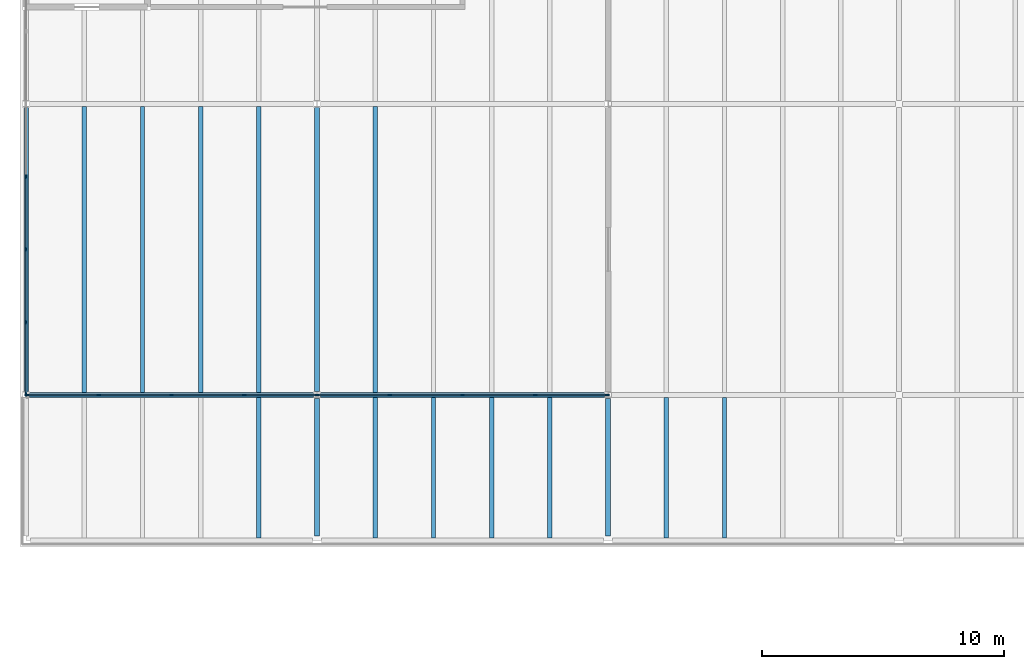
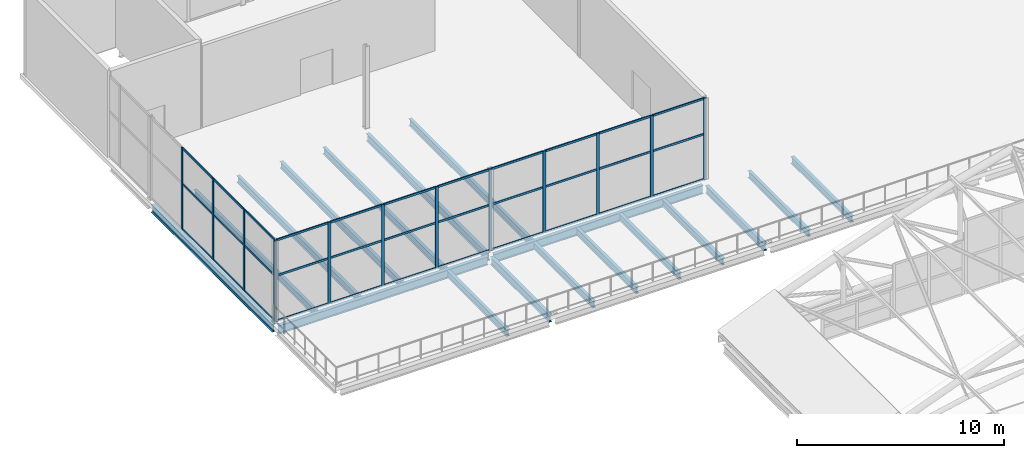
# One storey, part 202 of 321: 46 members, 18 beams, 2 elements without a shape of their own.
"""IFC4 building model written with IfcOpenShell, lengths in metres."""

from ifc_helpers import new_model, si_unit, direction, frame, origin, origin_2d, place, context, subcontext, project, spatial, rectangle, i_section, extrude, material, layer, layer_set, material_profile, profile_set, type_object, element, aggregate, save


model = new_model("IFC4")

# Units and contexts
model_context = context("Model", 3, precision=1e-05, world=origin(), true_north=direction((0.0, 1.0)))
body_context = subcontext(model_context, "Body", "Model", "MODEL_VIEW")
ifc_project = project(units=[si_unit("LENGTHUNIT", "METRE"), si_unit("AREAUNIT", "SQUARE_METRE"), si_unit("VOLUMEUNIT", "CUBIC_METRE"), si_unit("PLANEANGLEUNIT", "RADIAN"), si_unit("MASSUNIT", "GRAM", prefix="KILO")], contexts=[model_context])

# Site, building, storey
site_placement = place(None, origin())
site = spatial("IfcSite", under=ifc_project, at=site_placement, CompositionType="ELEMENT")
building_placement = place(site_placement, origin())
building = spatial("IfcBuilding", under=site, at=building_placement, Name="Ravi Spectrum Wholesale Market", CompositionType="ELEMENT")
storey_placement = place(building_placement, frame((0.0, 0.0, 10.800048828125)))
storey = spatial("IfcBuildingStorey", under=building, at=storey_placement, Name="L02", CompositionType="ELEMENT", Elevation=10.800048828125)

# Beams
ifc_material_1 = material(Name="Steel S355", Category="steel")
ifc_material_profile_1 = material_profile(ifc_material_1, i_section(OverallWidth=0.179931640625, OverallDepth=0.39990234375, WebThickness=0.008544921875, FlangeThickness=0.013427734375, at=origin_2d()))
ifc_profile_set_1 = profile_set([ifc_material_profile_1], Name="Steel S355")
beam_type_1 = type_object("IfcBeamType", Name="IPE 400 girder", PredefinedType="BEAM", material=ifc_profile_set_1)
beam_1_placement = place(storey_placement, frame((21.60009765625, 204.10009765625, -0.449951171875), z_axis=(0.0, 1.0, 0.0), x_axis=(-1.0, 0.0, 0.0)))
element("IfcBeam", 1, at=beam_1_placement, inside=storey, type_object=beam_type_1, Name="OF-BM-L02-036", PredefinedType="BEAM", context=body_context, shape_type="SweptSolid", body=[
    extrude(i_section(OverallWidth=0.179931640625, OverallDepth=0.39990234375, WebThickness=0.008544921875, FlangeThickness=0.013427734375, at=origin_2d()), origin(), (0.0, 0.0, 1.0), 5.7998046875),
])
for number, where, z_axis, x_axis, name in (
    (2, (14.39990234375, 210.10009765625, -0.449951171875), (0.0, 1.0, 0.0), (-1.0, 0.0, 0.0), "OF-BM-L02-037"),
    (3, (16.800048828125, 210.10009765625, -0.449951171875), (0.0, 1.0, 0.0), (-1.0, 0.0, 0.0), "OF-BM-L02-038"),
    (4, (19.199951171875, 210.10009765625, -0.449951171875), (0.0, 1.0, 0.0), (-1.0, 0.0, 0.0), "OF-BM-L02-039"),
    (5, (21.60009765625, 210.10009765625, -0.449951171875), (0.0, 1.0, 0.0), (-1.0, 0.0, 0.0), "OF-BM-L02-040"),
):
    element("IfcBeam", number, at=place(storey_placement, frame(where, z_axis=z_axis, x_axis=x_axis)), inside=storey, type_object=beam_type_1, Name=name, PredefinedType="BEAM", context=body_context, shape_type="SweptSolid", body=[
        extrude(i_section(OverallWidth=0.179931640625, OverallDepth=0.39990234375, WebThickness=0.008544921875, FlangeThickness=0.013427734375, at=origin_2d()), origin(), (0.0, 0.0, 1.0), 11.7998046875),
    ])
for number, where, z_axis, x_axis, name in (
    (6, (26.39990234375, 204.10009765625, -0.449951171875), (0.0, 1.0, 0.0), (-1.0, 0.0, 0.0), "OF-BM-L02-045"),
    (7, (28.800048828125, 204.10009765625, -0.449951171875), (0.0, 1.0, 0.0), (-1.0, 0.0, 0.0), "OF-BM-L02-046"),
    (8, (31.199951171875, 204.10009765625, -0.449951171875), (0.0, 1.0, 0.0), (-1.0, 0.0, 0.0), "OF-BM-L02-047"),
    (9, (33.60009765625, 204.10009765625, -0.449951171875), (0.0, 1.0, 0.0), (-1.0, 0.0, 0.0), "OF-BM-L02-048"),
):
    element("IfcBeam", number, at=place(storey_placement, frame(where, z_axis=z_axis, x_axis=x_axis)), inside=storey, type_object=beam_type_1, Name=name, PredefinedType="BEAM", context=body_context, shape_type="SweptSolid", body=[
        extrude(i_section(OverallWidth=0.179931640625, OverallDepth=0.39990234375, WebThickness=0.008544921875, FlangeThickness=0.013427734375, at=origin_2d()), origin(), (0.0, 0.0, 1.0), 5.7998046875),
    ])
beam_2_placement = place(storey_placement, frame((26.39990234375, 210.10009765625, -0.449951171875), z_axis=(0.0, 1.0, 0.0), x_axis=(-1.0, 0.0, 0.0)))
element("IfcBeam", 10, at=beam_2_placement, inside=storey, type_object=beam_type_1, Name="OF-BM-L02-049", PredefinedType="BEAM", context=body_context, shape_type="SweptSolid", body=[
    extrude(i_section(OverallWidth=0.179931640625, OverallDepth=0.39990234375, WebThickness=0.008544921875, FlangeThickness=0.013427734375, at=origin_2d()), origin(), (0.0, 0.0, 1.0), 11.7998046875),
])
for number, where, z_axis, x_axis, name in (
    (11, (38.39990234375, 204.10009765625, -0.449951171875), (0.0, 1.0, 0.0), (-1.0, 0.0, 0.0), "OF-BM-L02-057"),
    (12, (40.800048828125, 204.10009765625, -0.449951171875), (0.0, 1.0, 0.0), (-1.0, 0.0, 0.0), "OF-BM-L02-058"),
):
    element("IfcBeam", number, at=place(storey_placement, frame(where, z_axis=z_axis, x_axis=x_axis)), inside=storey, type_object=beam_type_1, Name=name, PredefinedType="BEAM", context=body_context, shape_type="SweptSolid", body=[
        extrude(i_section(OverallWidth=0.179931640625, OverallDepth=0.39990234375, WebThickness=0.008544921875, FlangeThickness=0.013427734375, at=origin_2d()), origin(), (0.0, 0.0, 1.0), 5.7998046875),
    ])
ifc_material_2 = material(Name="Steel S355", Category="steel")
ifc_material_profile_2 = material_profile(ifc_material_2, i_section(OverallWidth=0.18994140625, OverallDepth=0.449951171875, WebThickness=0.009521484375, FlangeThickness=0.0146484375, at=origin_2d()))
ifc_profile_set_2 = profile_set([ifc_material_profile_2], Name="Steel S355")
beam_type_2 = type_object("IfcBeamType", Name="IPE 450 girder", PredefinedType="BEAM", material=ifc_profile_set_2)
beam_3_placement = place(storey_placement, frame((12.0, 210.14990234375, -0.47509765625), z_axis=(0.0, 1.0, 0.0), x_axis=(-1.0, 0.0, 0.0)))
element("IfcBeam", 13, at=beam_3_placement, inside=storey, type_object=beam_type_2, Name="OF-BM-L02-019", PredefinedType="BEAM", context=body_context, shape_type="SweptSolid", body=[
    extrude(i_section(OverallWidth=0.18994140625, OverallDepth=0.449951171875, WebThickness=0.009521484375, FlangeThickness=0.0146484375, at=origin_2d()), origin(), (0.0, 0.0, 1.0), 11.7001953125),
])
beam_4_placement = place(storey_placement, frame((24.0, 204.177734375, -0.47509765625), z_axis=(0.0, 1.0, 0.0), x_axis=(-1.0, 0.0, 0.0)))
element("IfcBeam", 14, at=beam_4_placement, inside=storey, type_object=beam_type_2, Name="OF-BM-L02-021", PredefinedType="BEAM", context=body_context, shape_type="SweptSolid", body=[
    extrude(i_section(OverallWidth=0.18994140625, OverallDepth=0.449951171875, WebThickness=0.009521484375, FlangeThickness=0.0146484375, at=origin_2d()), origin(), (0.0, 0.0, 1.0), 5.67236328125),
])
beam_5_placement = place(storey_placement, frame((24.0, 210.14990234375, -0.47509765625), z_axis=(0.0, 1.0, 0.0), x_axis=(-1.0, 0.0, 0.0)))
element("IfcBeam", 15, at=beam_5_placement, inside=storey, type_object=beam_type_2, Name="OF-BM-L02-022", PredefinedType="BEAM", context=body_context, shape_type="SweptSolid", body=[
    extrude(i_section(OverallWidth=0.18994140625, OverallDepth=0.449951171875, WebThickness=0.009521484375, FlangeThickness=0.0146484375, at=origin_2d()), origin(), (0.0, 0.0, 1.0), 11.7001953125),
])
beam_6_placement = place(storey_placement, frame((36.0, 204.177734375, -0.47509765625), z_axis=(0.0, 1.0, 0.0), x_axis=(-1.0, 0.0, 0.0)))
element("IfcBeam", 16, at=beam_6_placement, inside=storey, type_object=beam_type_2, Name="OF-BM-L02-024", PredefinedType="BEAM", context=body_context, shape_type="SweptSolid", body=[
    extrude(i_section(OverallWidth=0.18994140625, OverallDepth=0.449951171875, WebThickness=0.009521484375, FlangeThickness=0.0146484375, at=origin_2d()), origin(), (0.0, 0.0, 1.0), 5.67236328125),
])
ifc_material_3 = material(Name="Steel S355", Category="steel")
ifc_material_profile_3 = material_profile(ifc_material_3, i_section(OverallWidth=0.199951171875, OverallDepth=0.5, WebThickness=0.01025390625, FlangeThickness=0.01611328125, at=origin_2d()))
ifc_profile_set_3 = profile_set([ifc_material_profile_3], Name="Steel S355")
beam_type_3 = type_object("IfcBeamType", Name="IPE 500 beam", PredefinedType="BEAM", material=ifc_profile_set_3)
for number, where, z_axis, x_axis, name in (
    (17, (12.14990234375, 210.0, -0.5), (1.0, 0.0, 0.0), (0.0, 1.0, 0.0), "OF-BM-L02-005"),
    (18, (24.14990234375, 210.0, -0.5), (1.0, 0.0, 0.0), (0.0, 1.0, 0.0), "OF-BM-L02-006"),
):
    element("IfcBeam", number, at=place(storey_placement, frame(where, z_axis=z_axis, x_axis=x_axis)), inside=storey, type_object=beam_type_3, Name=name, PredefinedType="BEAM", context=body_context, shape_type="SweptSolid", body=[
        extrude(i_section(OverallWidth=0.199951171875, OverallDepth=0.5, WebThickness=0.01025390625, FlangeThickness=0.01611328125, at=origin_2d()), origin(), (0.0, 0.0, 1.0), 11.7001953125),
    ])

# Curtain wall, members
ifc_material_4 = material(Name="Aluminium 6063-T6", Category="aluminium")
ifc_layer = layer(ifc_material_4, 0.14990234375)
ifc_layer_set = layer_set([ifc_layer], Name="Aluminium 6063-T6")
curtain_wall_type = type_object("IfcCurtainWallType", Name="Curtain wall 150", PredefinedType="NOTDEFINED", material=ifc_layer_set)
curtain_wall_1_placement = place(storey_placement, origin())
curtain_wall_1 = element("IfcCurtainWall", 19, at=curtain_wall_1_placement, inside=storey, type_object=curtain_wall_type, Name="OF-CW-L02-001", PredefinedType="NOTDEFINED")
ifc_material_5 = material(Name="Aluminium 6063-T6", Category="aluminium")
ifc_material_profile_4 = material_profile(ifc_material_5, rectangle(XDim=0.06005859375, YDim=0.159912109375, at=origin_2d()))
ifc_profile_set_4 = profile_set([ifc_material_profile_4], Name="Aluminium 6063-T6")
member_type_1 = type_object("IfcMemberType", Name="Mullion 60 x 160", PredefinedType="MULLION", material=ifc_profile_set_4)
member_1_placement = place(storey_placement, frame((12.0, 210.030029296875, 0.0), z_axis=(0.0, 0.0, 1.0), x_axis=(-1.0, 0.0, 0.0)))
member_1 = element("IfcMember", 20, at=member_1_placement, type_object=member_type_1, Name="OF-CW-L02-001 mullion 1", PredefinedType="MULLION", context=body_context, shape_type="SweptSolid", body=[
    extrude(rectangle(XDim=0.06005859375, YDim=0.159912109375, at=origin_2d()), origin(), (0.0, 0.0, 1.0), 4.820068359375),
])
member_2_placement = place(storey_placement, frame((12.0, 213.0, 0.0), z_axis=(0.0, 0.0, 1.0), x_axis=(-1.0, 0.0, 0.0)))
member_2 = element("IfcMember", 21, at=member_2_placement, type_object=member_type_1, Name="OF-CW-L02-001 mullion 2", PredefinedType="MULLION", context=body_context, shape_type="SweptSolid", body=[
    extrude(rectangle(XDim=0.06005859375, YDim=0.159912109375, at=origin_2d()), origin(), (0.0, 0.0, 1.0), 4.820068359375),
])
member_3_placement = place(storey_placement, frame((12.0, 216.0, 0.0), z_axis=(0.0, 0.0, 1.0), x_axis=(-1.0, 0.0, 0.0)))
member_3 = element("IfcMember", 22, at=member_3_placement, type_object=member_type_1, Name="OF-CW-L02-001 mullion 3", PredefinedType="MULLION", context=body_context, shape_type="SweptSolid", body=[
    extrude(rectangle(XDim=0.06005859375, YDim=0.159912109375, at=origin_2d()), origin(), (0.0, 0.0, 1.0), 4.820068359375),
])
member_4_placement = place(storey_placement, frame((12.0, 219.0, 0.0), z_axis=(0.0, 0.0, 1.0), x_axis=(-1.0, 0.0, 0.0)))
member_4 = element("IfcMember", 23, at=member_4_placement, type_object=member_type_1, Name="OF-CW-L02-001 mullion 4", PredefinedType="MULLION", context=body_context, shape_type="SweptSolid", body=[
    extrude(rectangle(XDim=0.06005859375, YDim=0.159912109375, at=origin_2d()), origin(), (0.0, 0.0, 1.0), 4.820068359375),
])

curtain_wall_2_placement = place(storey_placement, origin())
curtain_wall_2 = element("IfcCurtainWall", 24, at=curtain_wall_2_placement, inside=storey, type_object=curtain_wall_type, Name="OF-CW-L02-002", PredefinedType="NOTDEFINED")
member_5_placement = place(storey_placement, frame((12.030029296875, 210.0, 0.0), z_axis=(0.0, 0.0, 1.0), x_axis=(0.0, 1.0, 0.0)))
member_5 = element("IfcMember", 25, at=member_5_placement, type_object=member_type_1, Name="OF-CW-L02-002 mullion 1", PredefinedType="MULLION", context=body_context, shape_type="SweptSolid", body=[
    extrude(rectangle(XDim=0.06005859375, YDim=0.159912109375, at=origin_2d()), origin(), (0.0, 0.0, 1.0), 4.820068359375),
])
member_6_placement = place(storey_placement, frame((15.0, 210.0, 0.0), z_axis=(0.0, 0.0, 1.0), x_axis=(0.0, 1.0, 0.0)))
member_6 = element("IfcMember", 26, at=member_6_placement, type_object=member_type_1, Name="OF-CW-L02-002 mullion 2", PredefinedType="MULLION", context=body_context, shape_type="SweptSolid", body=[
    extrude(rectangle(XDim=0.06005859375, YDim=0.159912109375, at=origin_2d()), origin(), (0.0, 0.0, 1.0), 4.820068359375),
])
member_7_placement = place(storey_placement, frame((18.0, 210.0, 0.0), z_axis=(0.0, 0.0, 1.0), x_axis=(0.0, 1.0, 0.0)))
member_7 = element("IfcMember", 27, at=member_7_placement, type_object=member_type_1, Name="OF-CW-L02-002 mullion 3", PredefinedType="MULLION", context=body_context, shape_type="SweptSolid", body=[
    extrude(rectangle(XDim=0.06005859375, YDim=0.159912109375, at=origin_2d()), origin(), (0.0, 0.0, 1.0), 4.820068359375),
])
member_8_placement = place(storey_placement, frame((21.0, 210.0, 0.0), z_axis=(0.0, 0.0, 1.0), x_axis=(0.0, 1.0, 0.0)))
member_8 = element("IfcMember", 28, at=member_8_placement, type_object=member_type_1, Name="OF-CW-L02-002 mullion 4", PredefinedType="MULLION", context=body_context, shape_type="SweptSolid", body=[
    extrude(rectangle(XDim=0.06005859375, YDim=0.159912109375, at=origin_2d()), origin(), (0.0, 0.0, 1.0), 4.820068359375),
])
member_9_placement = place(storey_placement, frame((24.0, 210.0, 0.0), z_axis=(0.0, 0.0, 1.0), x_axis=(0.0, 1.0, 0.0)))
member_9 = element("IfcMember", 29, at=member_9_placement, type_object=member_type_1, Name="OF-CW-L02-002 mullion 5", PredefinedType="MULLION", context=body_context, shape_type="SweptSolid", body=[
    extrude(rectangle(XDim=0.06005859375, YDim=0.159912109375, at=origin_2d()), origin(), (0.0, 0.0, 1.0), 4.820068359375),
])
member_10_placement = place(storey_placement, frame((27.0, 210.0, 0.0), z_axis=(0.0, 0.0, 1.0), x_axis=(0.0, 1.0, 0.0)))
member_10 = element("IfcMember", 30, at=member_10_placement, type_object=member_type_1, Name="OF-CW-L02-002 mullion 6", PredefinedType="MULLION", context=body_context, shape_type="SweptSolid", body=[
    extrude(rectangle(XDim=0.06005859375, YDim=0.159912109375, at=origin_2d()), origin(), (0.0, 0.0, 1.0), 4.820068359375),
])
member_11_placement = place(storey_placement, frame((30.0, 210.0, 0.0), z_axis=(0.0, 0.0, 1.0), x_axis=(0.0, 1.0, 0.0)))
member_11 = element("IfcMember", 31, at=member_11_placement, type_object=member_type_1, Name="OF-CW-L02-002 mullion 7", PredefinedType="MULLION", context=body_context, shape_type="SweptSolid", body=[
    extrude(rectangle(XDim=0.06005859375, YDim=0.159912109375, at=origin_2d()), origin(), (0.0, 0.0, 1.0), 4.820068359375),
])
member_12_placement = place(storey_placement, frame((33.0, 210.0, 0.0), z_axis=(0.0, 0.0, 1.0), x_axis=(0.0, 1.0, 0.0)))
member_12 = element("IfcMember", 32, at=member_12_placement, type_object=member_type_1, Name="OF-CW-L02-002 mullion 8", PredefinedType="MULLION", context=body_context, shape_type="SweptSolid", body=[
    extrude(rectangle(XDim=0.06005859375, YDim=0.159912109375, at=origin_2d()), origin(), (0.0, 0.0, 1.0), 4.820068359375),
])
member_13_placement = place(storey_placement, frame((35.969970703125, 210.0, 0.0), z_axis=(0.0, 0.0, 1.0), x_axis=(0.0, 1.0, 0.0)))
member_13 = element("IfcMember", 33, at=member_13_placement, type_object=member_type_1, Name="OF-CW-L02-002 mullion 9", PredefinedType="MULLION", context=body_context, shape_type="SweptSolid", body=[
    extrude(rectangle(XDim=0.06005859375, YDim=0.159912109375, at=origin_2d()), origin(), (0.0, 0.0, 1.0), 4.820068359375),
])

# Member
ifc_material_6 = material(Name="Aluminium 6063-T6", Category="aluminium")
ifc_material_profile_5 = material_profile(ifc_material_6, rectangle(XDim=0.06005859375, YDim=0.1201171875, at=origin_2d()))
ifc_profile_set_5 = profile_set([ifc_material_profile_5], Name="Aluminium 6063-T6")
member_type_2 = type_object("IfcMemberType", Name="Transom 60 x 120", PredefinedType="USERDEFINED", material=ifc_profile_set_5)
member_14_placement = place(storey_placement, frame((12.0, 210.06005859375, 0.030029296875), z_axis=(0.0, 1.0, 0.0), x_axis=(-1.0, 0.0, 0.0)))
member_14 = element("IfcMember", 34, at=member_14_placement, type_object=member_type_2, Name="OF-CW-L02-001 transom 1.1", ObjectType="TRANSOM", PredefinedType="USERDEFINED", context=body_context, shape_type="SweptSolid", body=[
    extrude(rectangle(XDim=0.06005859375, YDim=0.1201171875, at=origin_2d()), origin(), (0.0, 0.0, 1.0), 2.909912109375),
])

member_15_placement = place(storey_placement, frame((12.0, 210.06005859375, 2.699951171875), z_axis=(0.0, 1.0, 0.0), x_axis=(-1.0, 0.0, 0.0)))
member_15 = element("IfcMember", 35, at=member_15_placement, type_object=member_type_2, Name="OF-CW-L02-001 transom 1.2", ObjectType="TRANSOM", PredefinedType="USERDEFINED", context=body_context, shape_type="SweptSolid", body=[
    extrude(rectangle(XDim=0.06005859375, YDim=0.1201171875, at=origin_2d()), origin(), (0.0, 0.0, 1.0), 2.909912109375),
])

member_16_placement = place(storey_placement, frame((12.0, 210.06005859375, 4.7900390625), z_axis=(0.0, 1.0, 0.0), x_axis=(-1.0, 0.0, 0.0)))
member_16 = element("IfcMember", 36, at=member_16_placement, type_object=member_type_2, Name="OF-CW-L02-001 transom 1.3", ObjectType="TRANSOM", PredefinedType="USERDEFINED", context=body_context, shape_type="SweptSolid", body=[
    extrude(rectangle(XDim=0.06005859375, YDim=0.1201171875, at=origin_2d()), origin(), (0.0, 0.0, 1.0), 2.909912109375),
])

member_17_placement = place(storey_placement, frame((12.0, 213.030029296875, 0.030029296875), z_axis=(0.0, 1.0, 0.0), x_axis=(-1.0, 0.0, 0.0)))
member_17 = element("IfcMember", 37, at=member_17_placement, type_object=member_type_2, Name="OF-CW-L02-001 transom 2.1", ObjectType="TRANSOM", PredefinedType="USERDEFINED", context=body_context, shape_type="SweptSolid", body=[
    extrude(rectangle(XDim=0.06005859375, YDim=0.1201171875, at=origin_2d()), origin(), (0.0, 0.0, 1.0), 2.93994140625),
])

member_18_placement = place(storey_placement, frame((12.0, 213.030029296875, 2.699951171875), z_axis=(0.0, 1.0, 0.0), x_axis=(-1.0, 0.0, 0.0)))
member_18 = element("IfcMember", 38, at=member_18_placement, type_object=member_type_2, Name="OF-CW-L02-001 transom 2.2", ObjectType="TRANSOM", PredefinedType="USERDEFINED", context=body_context, shape_type="SweptSolid", body=[
    extrude(rectangle(XDim=0.06005859375, YDim=0.1201171875, at=origin_2d()), origin(), (0.0, 0.0, 1.0), 2.93994140625),
])

member_19_placement = place(storey_placement, frame((12.0, 213.030029296875, 4.7900390625), z_axis=(0.0, 1.0, 0.0), x_axis=(-1.0, 0.0, 0.0)))
member_19 = element("IfcMember", 39, at=member_19_placement, type_object=member_type_2, Name="OF-CW-L02-001 transom 2.3", ObjectType="TRANSOM", PredefinedType="USERDEFINED", context=body_context, shape_type="SweptSolid", body=[
    extrude(rectangle(XDim=0.06005859375, YDim=0.1201171875, at=origin_2d()), origin(), (0.0, 0.0, 1.0), 2.93994140625),
])

member_20_placement = place(storey_placement, frame((12.0, 216.030029296875, 0.030029296875), z_axis=(0.0, 1.0, 0.0), x_axis=(-1.0, 0.0, 0.0)))
member_20 = element("IfcMember", 40, at=member_20_placement, type_object=member_type_2, Name="OF-CW-L02-001 transom 3.1", ObjectType="TRANSOM", PredefinedType="USERDEFINED", context=body_context, shape_type="SweptSolid", body=[
    extrude(rectangle(XDim=0.06005859375, YDim=0.1201171875, at=origin_2d()), origin(), (0.0, 0.0, 1.0), 2.93994140625),
])

member_21_placement = place(storey_placement, frame((12.0, 216.030029296875, 2.699951171875), z_axis=(0.0, 1.0, 0.0), x_axis=(-1.0, 0.0, 0.0)))
member_21 = element("IfcMember", 41, at=member_21_placement, type_object=member_type_2, Name="OF-CW-L02-001 transom 3.2", ObjectType="TRANSOM", PredefinedType="USERDEFINED", context=body_context, shape_type="SweptSolid", body=[
    extrude(rectangle(XDim=0.06005859375, YDim=0.1201171875, at=origin_2d()), origin(), (0.0, 0.0, 1.0), 2.93994140625),
])

member_22_placement = place(storey_placement, frame((12.0, 216.030029296875, 4.7900390625), z_axis=(0.0, 1.0, 0.0), x_axis=(-1.0, 0.0, 0.0)))
member_22 = element("IfcMember", 42, at=member_22_placement, type_object=member_type_2, Name="OF-CW-L02-001 transom 3.3", ObjectType="TRANSOM", PredefinedType="USERDEFINED", context=body_context, shape_type="SweptSolid", body=[
    extrude(rectangle(XDim=0.06005859375, YDim=0.1201171875, at=origin_2d()), origin(), (0.0, 0.0, 1.0), 2.93994140625),
])

aggregate(curtain_wall_1, [member_1, member_2, member_3, member_4, member_14, member_15, member_16, member_17, member_18, member_19, member_20, member_21, member_22])

member_23_placement = place(storey_placement, frame((12.06005859375, 210.0, 0.030029296875), z_axis=(1.0, 0.0, 0.0), x_axis=(0.0, 1.0, 0.0)))
member_23 = element("IfcMember", 43, at=member_23_placement, type_object=member_type_2, Name="OF-CW-L02-002 transom 1.1", ObjectType="TRANSOM", PredefinedType="USERDEFINED", context=body_context, shape_type="SweptSolid", body=[
    extrude(rectangle(XDim=0.06005859375, YDim=0.1201171875, at=origin_2d()), origin(), (0.0, 0.0, 1.0), 2.909912109375),
])

member_24_placement = place(storey_placement, frame((12.06005859375, 210.0, 2.699951171875), z_axis=(1.0, 0.0, 0.0), x_axis=(0.0, 1.0, 0.0)))
member_24 = element("IfcMember", 44, at=member_24_placement, type_object=member_type_2, Name="OF-CW-L02-002 transom 1.2", ObjectType="TRANSOM", PredefinedType="USERDEFINED", context=body_context, shape_type="SweptSolid", body=[
    extrude(rectangle(XDim=0.06005859375, YDim=0.1201171875, at=origin_2d()), origin(), (0.0, 0.0, 1.0), 2.909912109375),
])

member_25_placement = place(storey_placement, frame((12.06005859375, 210.0, 4.7900390625), z_axis=(1.0, 0.0, 0.0), x_axis=(0.0, 1.0, 0.0)))
member_25 = element("IfcMember", 45, at=member_25_placement, type_object=member_type_2, Name="OF-CW-L02-002 transom 1.3", ObjectType="TRANSOM", PredefinedType="USERDEFINED", context=body_context, shape_type="SweptSolid", body=[
    extrude(rectangle(XDim=0.06005859375, YDim=0.1201171875, at=origin_2d()), origin(), (0.0, 0.0, 1.0), 2.909912109375),
])

member_26_placement = place(storey_placement, frame((15.030029296875, 210.0, 0.030029296875), z_axis=(1.0, 0.0, 0.0), x_axis=(0.0, 1.0, 0.0)))
member_26 = element("IfcMember", 46, at=member_26_placement, type_object=member_type_2, Name="OF-CW-L02-002 transom 2.1", ObjectType="TRANSOM", PredefinedType="USERDEFINED", context=body_context, shape_type="SweptSolid", body=[
    extrude(rectangle(XDim=0.06005859375, YDim=0.1201171875, at=origin_2d()), origin(), (0.0, 0.0, 1.0), 2.93994140625),
])

member_27_placement = place(storey_placement, frame((15.030029296875, 210.0, 2.699951171875), z_axis=(1.0, 0.0, 0.0), x_axis=(0.0, 1.0, 0.0)))
member_27 = element("IfcMember", 47, at=member_27_placement, type_object=member_type_2, Name="OF-CW-L02-002 transom 2.2", ObjectType="TRANSOM", PredefinedType="USERDEFINED", context=body_context, shape_type="SweptSolid", body=[
    extrude(rectangle(XDim=0.06005859375, YDim=0.1201171875, at=origin_2d()), origin(), (0.0, 0.0, 1.0), 2.93994140625),
])

member_28_placement = place(storey_placement, frame((15.030029296875, 210.0, 4.7900390625), z_axis=(1.0, 0.0, 0.0), x_axis=(0.0, 1.0, 0.0)))
member_28 = element("IfcMember", 48, at=member_28_placement, type_object=member_type_2, Name="OF-CW-L02-002 transom 2.3", ObjectType="TRANSOM", PredefinedType="USERDEFINED", context=body_context, shape_type="SweptSolid", body=[
    extrude(rectangle(XDim=0.06005859375, YDim=0.1201171875, at=origin_2d()), origin(), (0.0, 0.0, 1.0), 2.93994140625),
])

member_29_placement = place(storey_placement, frame((18.030029296875, 210.0, 0.030029296875), z_axis=(1.0, 0.0, 0.0), x_axis=(0.0, 1.0, 0.0)))
member_29 = element("IfcMember", 49, at=member_29_placement, type_object=member_type_2, Name="OF-CW-L02-002 transom 3.1", ObjectType="TRANSOM", PredefinedType="USERDEFINED", context=body_context, shape_type="SweptSolid", body=[
    extrude(rectangle(XDim=0.06005859375, YDim=0.1201171875, at=origin_2d()), origin(), (0.0, 0.0, 1.0), 2.93994140625),
])

member_30_placement = place(storey_placement, frame((18.030029296875, 210.0, 2.699951171875), z_axis=(1.0, 0.0, 0.0), x_axis=(0.0, 1.0, 0.0)))
member_30 = element("IfcMember", 50, at=member_30_placement, type_object=member_type_2, Name="OF-CW-L02-002 transom 3.2", ObjectType="TRANSOM", PredefinedType="USERDEFINED", context=body_context, shape_type="SweptSolid", body=[
    extrude(rectangle(XDim=0.06005859375, YDim=0.1201171875, at=origin_2d()), origin(), (0.0, 0.0, 1.0), 2.93994140625),
])

member_31_placement = place(storey_placement, frame((18.030029296875, 210.0, 4.7900390625), z_axis=(1.0, 0.0, 0.0), x_axis=(0.0, 1.0, 0.0)))
member_31 = element("IfcMember", 51, at=member_31_placement, type_object=member_type_2, Name="OF-CW-L02-002 transom 3.3", ObjectType="TRANSOM", PredefinedType="USERDEFINED", context=body_context, shape_type="SweptSolid", body=[
    extrude(rectangle(XDim=0.06005859375, YDim=0.1201171875, at=origin_2d()), origin(), (0.0, 0.0, 1.0), 2.93994140625),
])

member_32_placement = place(storey_placement, frame((21.030029296875, 210.0, 0.030029296875), z_axis=(1.0, 0.0, 0.0), x_axis=(0.0, 1.0, 0.0)))
member_32 = element("IfcMember", 52, at=member_32_placement, type_object=member_type_2, Name="OF-CW-L02-002 transom 4.1", ObjectType="TRANSOM", PredefinedType="USERDEFINED", context=body_context, shape_type="SweptSolid", body=[
    extrude(rectangle(XDim=0.06005859375, YDim=0.1201171875, at=origin_2d()), origin(), (0.0, 0.0, 1.0), 2.93994140625),
])

member_33_placement = place(storey_placement, frame((21.030029296875, 210.0, 2.699951171875), z_axis=(1.0, 0.0, 0.0), x_axis=(0.0, 1.0, 0.0)))
member_33 = element("IfcMember", 53, at=member_33_placement, type_object=member_type_2, Name="OF-CW-L02-002 transom 4.2", ObjectType="TRANSOM", PredefinedType="USERDEFINED", context=body_context, shape_type="SweptSolid", body=[
    extrude(rectangle(XDim=0.06005859375, YDim=0.1201171875, at=origin_2d()), origin(), (0.0, 0.0, 1.0), 2.93994140625),
])

member_34_placement = place(storey_placement, frame((21.030029296875, 210.0, 4.7900390625), z_axis=(1.0, 0.0, 0.0), x_axis=(0.0, 1.0, 0.0)))
member_34 = element("IfcMember", 54, at=member_34_placement, type_object=member_type_2, Name="OF-CW-L02-002 transom 4.3", ObjectType="TRANSOM", PredefinedType="USERDEFINED", context=body_context, shape_type="SweptSolid", body=[
    extrude(rectangle(XDim=0.06005859375, YDim=0.1201171875, at=origin_2d()), origin(), (0.0, 0.0, 1.0), 2.93994140625),
])

member_35_placement = place(storey_placement, frame((24.030029296875, 210.0, 0.030029296875), z_axis=(1.0, 0.0, 0.0), x_axis=(0.0, 1.0, 0.0)))
member_35 = element("IfcMember", 55, at=member_35_placement, type_object=member_type_2, Name="OF-CW-L02-002 transom 5.1", ObjectType="TRANSOM", PredefinedType="USERDEFINED", context=body_context, shape_type="SweptSolid", body=[
    extrude(rectangle(XDim=0.06005859375, YDim=0.1201171875, at=origin_2d()), origin(), (0.0, 0.0, 1.0), 2.93994140625),
])

member_36_placement = place(storey_placement, frame((24.030029296875, 210.0, 2.699951171875), z_axis=(1.0, 0.0, 0.0), x_axis=(0.0, 1.0, 0.0)))
member_36 = element("IfcMember", 56, at=member_36_placement, type_object=member_type_2, Name="OF-CW-L02-002 transom 5.2", ObjectType="TRANSOM", PredefinedType="USERDEFINED", context=body_context, shape_type="SweptSolid", body=[
    extrude(rectangle(XDim=0.06005859375, YDim=0.1201171875, at=origin_2d()), origin(), (0.0, 0.0, 1.0), 2.93994140625),
])

member_37_placement = place(storey_placement, frame((24.030029296875, 210.0, 4.7900390625), z_axis=(1.0, 0.0, 0.0), x_axis=(0.0, 1.0, 0.0)))
member_37 = element("IfcMember", 57, at=member_37_placement, type_object=member_type_2, Name="OF-CW-L02-002 transom 5.3", ObjectType="TRANSOM", PredefinedType="USERDEFINED", context=body_context, shape_type="SweptSolid", body=[
    extrude(rectangle(XDim=0.06005859375, YDim=0.1201171875, at=origin_2d()), origin(), (0.0, 0.0, 1.0), 2.93994140625),
])

member_38_placement = place(storey_placement, frame((27.030029296875, 210.0, 0.030029296875), z_axis=(1.0, 0.0, 0.0), x_axis=(0.0, 1.0, 0.0)))
member_38 = element("IfcMember", 58, at=member_38_placement, type_object=member_type_2, Name="OF-CW-L02-002 transom 6.1", ObjectType="TRANSOM", PredefinedType="USERDEFINED", context=body_context, shape_type="SweptSolid", body=[
    extrude(rectangle(XDim=0.06005859375, YDim=0.1201171875, at=origin_2d()), origin(), (0.0, 0.0, 1.0), 2.93994140625),
])

member_39_placement = place(storey_placement, frame((27.030029296875, 210.0, 2.699951171875), z_axis=(1.0, 0.0, 0.0), x_axis=(0.0, 1.0, 0.0)))
member_39 = element("IfcMember", 59, at=member_39_placement, type_object=member_type_2, Name="OF-CW-L02-002 transom 6.2", ObjectType="TRANSOM", PredefinedType="USERDEFINED", context=body_context, shape_type="SweptSolid", body=[
    extrude(rectangle(XDim=0.06005859375, YDim=0.1201171875, at=origin_2d()), origin(), (0.0, 0.0, 1.0), 2.93994140625),
])

member_40_placement = place(storey_placement, frame((27.030029296875, 210.0, 4.7900390625), z_axis=(1.0, 0.0, 0.0), x_axis=(0.0, 1.0, 0.0)))
member_40 = element("IfcMember", 60, at=member_40_placement, type_object=member_type_2, Name="OF-CW-L02-002 transom 6.3", ObjectType="TRANSOM", PredefinedType="USERDEFINED", context=body_context, shape_type="SweptSolid", body=[
    extrude(rectangle(XDim=0.06005859375, YDim=0.1201171875, at=origin_2d()), origin(), (0.0, 0.0, 1.0), 2.93994140625),
])

member_41_placement = place(storey_placement, frame((30.030029296875, 210.0, 0.030029296875), z_axis=(1.0, 0.0, 0.0), x_axis=(0.0, 1.0, 0.0)))
member_41 = element("IfcMember", 61, at=member_41_placement, type_object=member_type_2, Name="OF-CW-L02-002 transom 7.1", ObjectType="TRANSOM", PredefinedType="USERDEFINED", context=body_context, shape_type="SweptSolid", body=[
    extrude(rectangle(XDim=0.06005859375, YDim=0.1201171875, at=origin_2d()), origin(), (0.0, 0.0, 1.0), 2.93994140625),
])

member_42_placement = place(storey_placement, frame((30.030029296875, 210.0, 2.699951171875), z_axis=(1.0, 0.0, 0.0), x_axis=(0.0, 1.0, 0.0)))
member_42 = element("IfcMember", 62, at=member_42_placement, type_object=member_type_2, Name="OF-CW-L02-002 transom 7.2", ObjectType="TRANSOM", PredefinedType="USERDEFINED", context=body_context, shape_type="SweptSolid", body=[
    extrude(rectangle(XDim=0.06005859375, YDim=0.1201171875, at=origin_2d()), origin(), (0.0, 0.0, 1.0), 2.93994140625),
])

member_43_placement = place(storey_placement, frame((30.030029296875, 210.0, 4.7900390625), z_axis=(1.0, 0.0, 0.0), x_axis=(0.0, 1.0, 0.0)))
member_43 = element("IfcMember", 63, at=member_43_placement, type_object=member_type_2, Name="OF-CW-L02-002 transom 7.3", ObjectType="TRANSOM", PredefinedType="USERDEFINED", context=body_context, shape_type="SweptSolid", body=[
    extrude(rectangle(XDim=0.06005859375, YDim=0.1201171875, at=origin_2d()), origin(), (0.0, 0.0, 1.0), 2.93994140625),
])

member_44_placement = place(storey_placement, frame((33.030029296875, 210.0, 0.030029296875), z_axis=(1.0, 0.0, 0.0), x_axis=(0.0, 1.0, 0.0)))
member_44 = element("IfcMember", 64, at=member_44_placement, type_object=member_type_2, Name="OF-CW-L02-002 transom 8.1", ObjectType="TRANSOM", PredefinedType="USERDEFINED", context=body_context, shape_type="SweptSolid", body=[
    extrude(rectangle(XDim=0.06005859375, YDim=0.1201171875, at=origin_2d()), origin(), (0.0, 0.0, 1.0), 2.909912109375),
])

member_45_placement = place(storey_placement, frame((33.030029296875, 210.0, 2.699951171875), z_axis=(1.0, 0.0, 0.0), x_axis=(0.0, 1.0, 0.0)))
member_45 = element("IfcMember", 65, at=member_45_placement, type_object=member_type_2, Name="OF-CW-L02-002 transom 8.2", ObjectType="TRANSOM", PredefinedType="USERDEFINED", context=body_context, shape_type="SweptSolid", body=[
    extrude(rectangle(XDim=0.06005859375, YDim=0.1201171875, at=origin_2d()), origin(), (0.0, 0.0, 1.0), 2.909912109375),
])

member_46_placement = place(storey_placement, frame((33.030029296875, 210.0, 4.7900390625), z_axis=(1.0, 0.0, 0.0), x_axis=(0.0, 1.0, 0.0)))
member_46 = element("IfcMember", 66, at=member_46_placement, type_object=member_type_2, Name="OF-CW-L02-002 transom 8.3", ObjectType="TRANSOM", PredefinedType="USERDEFINED", context=body_context, shape_type="SweptSolid", body=[
    extrude(rectangle(XDim=0.06005859375, YDim=0.1201171875, at=origin_2d()), origin(), (0.0, 0.0, 1.0), 2.909912109375),
])

aggregate(curtain_wall_2, [member_5, member_6, member_7, member_8, member_9, member_10, member_11, member_12, member_13, member_23, member_24, member_25, member_26, member_27, member_28, member_29, member_30, member_31, member_32, member_33, member_34, member_35, member_36, member_37, member_38, member_39, member_40, member_41, member_42, member_43, member_44, member_45, member_46])

save(model, "model.ifc")
